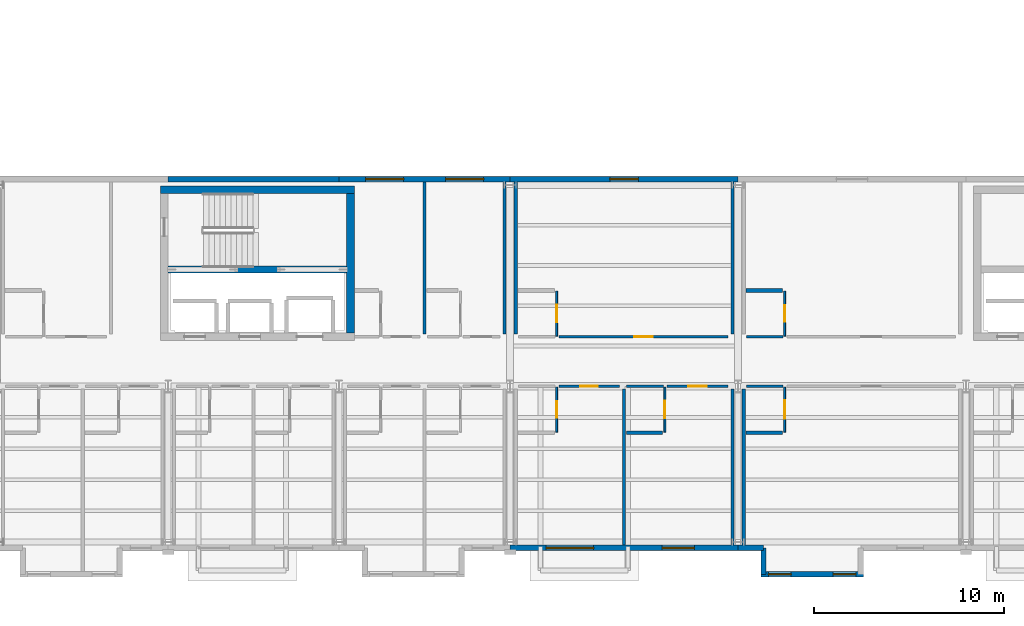
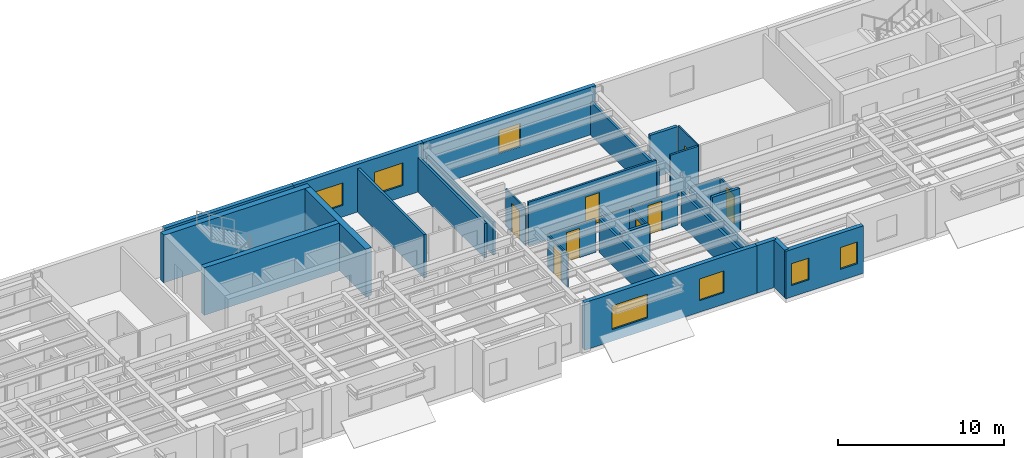
# One storey, part 13 of 23: 31 walls, 8 doors, 7 windows, 15 openings.
"""IFC4 building model written with IfcOpenShell, lengths in metres."""

from ifc_helpers import new_model, si_unit, direction, frame, frame_2d, origin, place, context, subcontext, project, spatial, rectangle, extrude, material, layer, layer_set, type_object, element, fill, save


model = new_model("IFC4")

# Units and contexts
model_context = context("Model", 3, precision=1e-05, world=origin(), true_north=direction((0.0, 1.0)))
body_context = subcontext(model_context, "Body", "Model", "MODEL_VIEW")
ifc_project = project(units=[si_unit("LENGTHUNIT", "METRE"), si_unit("AREAUNIT", "SQUARE_METRE"), si_unit("VOLUMEUNIT", "CUBIC_METRE"), si_unit("PLANEANGLEUNIT", "RADIAN"), si_unit("MASSUNIT", "GRAM", prefix="KILO")], contexts=[model_context])

# Site, building, storey
site_placement = place(None, origin())
site = spatial("IfcSite", under=ifc_project, at=site_placement, CompositionType="ELEMENT")
building_placement = place(site_placement, origin())
building = spatial("IfcBuilding", under=site, at=building_placement, Name="Sollismere Congress Hotel", CompositionType="ELEMENT")
storey_placement = place(building_placement, frame((0.0, 0.0, 30.60009765625)))
storey = spatial("IfcBuildingStorey", under=building, at=storey_placement, Name="L07", CompositionType="ELEMENT", Elevation=30.60009765625)

# Wall, openings, windows
ifc_material_1 = material(Name="Colorado Buff Sandstone Rainscreen on Insulated Backup", Category="masonry")
ifc_layer_1 = layer(ifc_material_1, 0.284912109375, Name="Colorado Buff Sandstone Rainscreen on Insulated Backup")
ifc_layer_set_1 = layer_set([ifc_layer_1], Name="Colorado Buff Sandstone Rainscreen on Insulated Backup")
wall_type_1 = type_object("IfcWallType", Name="WL-EXT285", PredefinedType="STANDARD", material=ifc_layer_set_1)
wall_1_placement = place(storey_placement, frame((112.0, -0.31005859375, 0.0), z_axis=(0.0, 0.0, 1.0), x_axis=(1.0, 0.0, 0.0)))
wall_1 = element("IfcWall", 1, at=wall_1_placement, inside=storey, type_object=wall_type_1, Name="Exterior wall EW-L07-753", PredefinedType="STANDARD", context=body_context, shape_type="SweptSolid", body=[
    extrude(rectangle(XDim=12.0, YDim=0.284912109375, at=frame_2d((6.0, 0.0))), origin(), (0.0, 0.0, 1.0), 3.5),
])
opening_1_placement = place(wall_1_placement, frame((1.89990234375, 0.0, 0.85009765625)))
opening_1 = element("IfcOpeningElement", 2, at=opening_1_placement, cuts=wall_1, Name="Opening W-L07-552", PredefinedType="OPENING", context=body_context, shape_type="SweptSolid", body=[
    extrude(rectangle(XDim=2.5, YDim=1.75, at=frame_2d((1.25, 0.875))), frame((0.0, 0.15234375, 0.0), z_axis=(0.0, -1.0, 0.0), x_axis=(1.0, 0.0, 0.0)), (0.0, 0.0, 1.0), 0.304931640625),
])
opening_2_placement = place(wall_1_placement, frame((8.0, 0.0, 0.85009765625)))
opening_2 = element("IfcOpeningElement", 3, at=opening_2_placement, cuts=wall_1, Name="Opening W-L07-553", PredefinedType="OPENING", context=body_context, shape_type="SweptSolid", body=[
    extrude(rectangle(XDim=1.699951171875, YDim=1.60009765625, at=frame_2d((0.85009765625, 0.800048828125))), frame((0.0, 0.15234375, 0.0), z_axis=(0.0, -1.0, 0.0), x_axis=(1.0, 0.0, 0.0)), (0.0, 0.0, 1.0), 0.304931640625),
])
ifc_material_2 = material(Name="Thermally Broken Bronze Aluminum & Low-E Glass", Category="aluminium")
window_type_1 = type_object("IfcWindowType", Name="WN-P170x160", PartitioningType="SINGLE_PANEL", PredefinedType="WINDOW", material=ifc_material_2)
window_1_placement = place(opening_2_placement, origin())
window_1 = element("IfcWindow", 4, at=window_1_placement, inside=storey, type_object=window_type_1, Name="WIN-W-L07-553", OverallHeight=1.60009765625, OverallWidth=1.699951171875, PartitioningType="SINGLE_PANEL", PredefinedType="WINDOW", context=body_context, shape_type="SweptSolid", body=[
    extrude(rectangle(XDim=1.699951171875, YDim=1.60009765625, at=frame_2d((0.85009765625, 0.800048828125))), frame((0.0, 0.030029296875, 0.0), z_axis=(0.0, -1.0, 0.0), x_axis=(1.0, 0.0, 0.0)), (0.0, 0.0, 1.0), 0.06005859375),
])
fill(opening_2, window_1)
window_type_2 = type_object("IfcWindowType", Name="WN-P250x175", PartitioningType="SINGLE_PANEL", PredefinedType="WINDOW", material=ifc_material_2)
window_2_placement = place(opening_1_placement, origin())
window_2 = element("IfcWindow", 5, at=window_2_placement, inside=storey, type_object=window_type_2, Name="WIN-W-L07-552", OverallHeight=1.75, OverallWidth=2.5, PartitioningType="SINGLE_PANEL", PredefinedType="WINDOW", context=body_context, shape_type="SweptSolid", body=[
    extrude(rectangle(XDim=2.5, YDim=1.75, at=frame_2d((1.25, 0.875))), frame((0.0, 0.030029296875, 0.0), z_axis=(0.0, -1.0, 0.0), x_axis=(1.0, 0.0, 0.0)), (0.0, 0.0, 1.0), 0.06005859375),
])
fill(opening_1, window_2)

# Wall
wall_2_placement = place(storey_placement, frame((124.0, -0.31005859375, 0.0), z_axis=(0.0, 0.0, 1.0), x_axis=(1.0, 0.0, 0.0)))
element("IfcWall", 6, at=wall_2_placement, inside=storey, type_object=wall_type_1, Name="Exterior wall EW-L07-755", PredefinedType="STANDARD", context=body_context, shape_type="SweptSolid", body=[
    extrude(rectangle(XDim=1.340087890625, YDim=0.284912109375, at=frame_2d((0.669921875, 0.0))), origin(), (0.0, 0.0, 1.0), 3.5),
])

# Wall, openings, windows
wall_3_placement = place(storey_placement, frame((125.199951171875, -1.699951171875, 0.0), z_axis=(0.0, 0.0, 1.0), x_axis=(1.0, 0.0, 0.0)))
wall_3 = element("IfcWall", 7, at=wall_3_placement, inside=storey, type_object=wall_type_1, Name="Exterior wall EW-L07-757", PredefinedType="STANDARD", context=body_context, shape_type="SweptSolid", body=[
    extrude(rectangle(XDim=5.400146484375, YDim=0.284912109375, at=frame_2d((2.7001953125, 0.0))), origin(), (0.0, 0.0, 1.0), 3.5),
])
opening_3_placement = place(wall_3_placement, frame((0.39990234375, 0.0, 0.85009765625)))
opening_3 = element("IfcOpeningElement", 8, at=opening_3_placement, cuts=wall_3, Name="Opening W-L07-555", PredefinedType="OPENING", context=body_context, shape_type="SweptSolid", body=[
    extrude(rectangle(XDim=1.199951171875, YDim=1.60009765625, at=frame_2d((0.60009765625, 0.800048828125))), frame((0.0, 0.15234375, 0.0), z_axis=(0.0, -1.0, 0.0), x_axis=(1.0, 0.0, 0.0)), (0.0, 0.0, 1.0), 0.304931640625),
])
opening_4_placement = place(wall_3_placement, frame((3.800048828125, 0.0, 0.85009765625)))
opening_4 = element("IfcOpeningElement", 9, at=opening_4_placement, cuts=wall_3, Name="Opening W-L07-556", PredefinedType="OPENING", context=body_context, shape_type="SweptSolid", body=[
    extrude(rectangle(XDim=1.199951171875, YDim=1.60009765625, at=frame_2d((0.60009765625, 0.800048828125))), frame((0.0, 0.15234375, 0.0), z_axis=(0.0, -1.0, 0.0), x_axis=(1.0, 0.0, 0.0)), (0.0, 0.0, 1.0), 0.304931640625),
])
window_type_3 = type_object("IfcWindowType", Name="WN-P120x160", PartitioningType="SINGLE_PANEL", PredefinedType="WINDOW", material=ifc_material_2)
window_3_placement = place(opening_3_placement, origin())
window_3 = element("IfcWindow", 10, at=window_3_placement, inside=storey, type_object=window_type_3, Name="WIN-W-L07-555", OverallHeight=1.60009765625, OverallWidth=1.199951171875, PartitioningType="SINGLE_PANEL", PredefinedType="WINDOW", context=body_context, shape_type="SweptSolid", body=[
    extrude(rectangle(XDim=1.199951171875, YDim=1.60009765625, at=frame_2d((0.60009765625, 0.800048828125))), frame((0.0, 0.030029296875, 0.0), z_axis=(0.0, -1.0, 0.0), x_axis=(1.0, 0.0, 0.0)), (0.0, 0.0, 1.0), 0.06005859375),
])
fill(opening_3, window_3)
window_4_placement = place(opening_4_placement, origin())
window_4 = element("IfcWindow", 11, at=window_4_placement, inside=storey, type_object=window_type_3, Name="WIN-W-L07-556", OverallHeight=1.60009765625, OverallWidth=1.199951171875, PartitioningType="SINGLE_PANEL", PredefinedType="WINDOW", context=body_context, shape_type="SweptSolid", body=[
    extrude(rectangle(XDim=1.199951171875, YDim=1.60009765625, at=frame_2d((0.60009765625, 0.800048828125))), frame((0.0, 0.030029296875, 0.0), z_axis=(0.0, -1.0, 0.0), x_axis=(1.0, 0.0, 0.0)), (0.0, 0.0, 1.0), 0.06005859375),
])
fill(opening_4, window_4)

# Walls
wall_4_placement = place(storey_placement, frame((125.340087890625, -0.31005859375, 0.0), z_axis=(0.0, 0.0, 1.0), x_axis=(0.0, -1.0, 0.0)))
element("IfcWall", 12, at=wall_4_placement, inside=storey, type_object=wall_type_1, Name="Exterior wall EW-L07-758", PredefinedType="STANDARD", context=body_context, shape_type="SweptSolid", body=[
    extrude(rectangle(XDim=1.389892578125, YDim=0.284912109375, at=frame_2d((0.69482421875, 0.0))), origin(), (0.0, 0.0, 1.0), 3.5),
])
wall_5_placement = place(storey_placement, frame((103.0, 19.110107421875, 0.0), z_axis=(0.0, 0.0, 1.0), x_axis=(-1.0, 0.0, 0.0)))
element("IfcWall", 13, at=wall_5_placement, inside=storey, type_object=wall_type_1, Name="Exterior wall EW-L07-797", PredefinedType="STANDARD", context=body_context, shape_type="SweptSolid", body=[
    extrude(rectangle(XDim=9.0, YDim=0.284912109375, at=frame_2d((4.5, 0.0))), origin(), (0.0, 0.0, 1.0), 3.5),
])

# Wall, openings, windows
wall_6_placement = place(storey_placement, frame((112.0, 19.110107421875, 0.0), z_axis=(0.0, 0.0, 1.0), x_axis=(-1.0, 0.0, 0.0)))
wall_6 = element("IfcWall", 14, at=wall_6_placement, inside=storey, type_object=wall_type_1, Name="Exterior wall EW-L07-798", PredefinedType="STANDARD", context=body_context, shape_type="SweptSolid", body=[
    extrude(rectangle(XDim=9.0, YDim=0.284912109375, at=frame_2d((4.5, 0.0))), origin(), (0.0, 0.0, 1.0), 3.5),
])
opening_5_placement = place(wall_6_placement, frame((5.60009765625, 0.0, 0.85009765625)))
opening_5 = element("IfcOpeningElement", 15, at=opening_5_placement, cuts=wall_6, Name="Opening W-L07-577", PredefinedType="OPENING", context=body_context, shape_type="SweptSolid", body=[
    extrude(rectangle(XDim=2.0, YDim=1.64990234375, at=frame_2d((1.0, 0.824951171875))), frame((0.0, 0.15234375, 0.0), z_axis=(0.0, -1.0, 0.0), x_axis=(1.0, 0.0, 0.0)), (0.0, 0.0, 1.0), 0.304931640625),
])
opening_6_placement = place(wall_6_placement, frame((1.39990234375, 0.0, 0.85009765625)))
opening_6 = element("IfcOpeningElement", 16, at=opening_6_placement, cuts=wall_6, Name="Opening W-L07-578", PredefinedType="OPENING", context=body_context, shape_type="SweptSolid", body=[
    extrude(rectangle(XDim=2.0, YDim=1.64990234375, at=frame_2d((1.0, 0.824951171875))), frame((0.0, 0.15234375, 0.0), z_axis=(0.0, -1.0, 0.0), x_axis=(1.0, 0.0, 0.0)), (0.0, 0.0, 1.0), 0.304931640625),
])
window_type_4 = type_object("IfcWindowType", Name="WN-P200x165", PartitioningType="SINGLE_PANEL", PredefinedType="WINDOW", material=ifc_material_2)
window_5_placement = place(opening_5_placement, origin())
window_5 = element("IfcWindow", 17, at=window_5_placement, inside=storey, type_object=window_type_4, Name="WIN-W-L07-577", OverallHeight=1.64990234375, OverallWidth=2.0, PartitioningType="SINGLE_PANEL", PredefinedType="WINDOW", context=body_context, shape_type="SweptSolid", body=[
    extrude(rectangle(XDim=2.0, YDim=1.64990234375, at=frame_2d((1.0, 0.824951171875))), frame((0.0, 0.030029296875, 0.0), z_axis=(0.0, -1.0, 0.0), x_axis=(1.0, 0.0, 0.0)), (0.0, 0.0, 1.0), 0.06005859375),
])
fill(opening_5, window_5)
window_6_placement = place(opening_6_placement, origin())
window_6 = element("IfcWindow", 18, at=window_6_placement, inside=storey, type_object=window_type_4, Name="WIN-W-L07-578", OverallHeight=1.64990234375, OverallWidth=2.0, PartitioningType="SINGLE_PANEL", PredefinedType="WINDOW", context=body_context, shape_type="SweptSolid", body=[
    extrude(rectangle(XDim=2.0, YDim=1.64990234375, at=frame_2d((1.0, 0.824951171875))), frame((0.0, 0.030029296875, 0.0), z_axis=(0.0, -1.0, 0.0), x_axis=(1.0, 0.0, 0.0)), (0.0, 0.0, 1.0), 0.06005859375),
])
fill(opening_6, window_6)

# Wall, opening, window
wall_7_placement = place(storey_placement, frame((124.0, 19.110107421875, 0.0), z_axis=(0.0, 0.0, 1.0), x_axis=(-1.0, 0.0, 0.0)))
wall_7 = element("IfcWall", 19, at=wall_7_placement, inside=storey, type_object=wall_type_1, Name="Exterior wall EW-L07-799", PredefinedType="STANDARD", context=body_context, shape_type="SweptSolid", body=[
    extrude(rectangle(XDim=12.0, YDim=0.284912109375, at=frame_2d((6.0, 0.0))), origin(), (0.0, 0.0, 1.0), 3.5),
])
opening_7_placement = place(wall_7_placement, frame((5.25, 0.0, 0.85009765625)))
opening_7 = element("IfcOpeningElement", 20, at=opening_7_placement, cuts=wall_7, Name="Opening W-L07-579", PredefinedType="OPENING", context=body_context, shape_type="SweptSolid", body=[
    extrude(rectangle(XDim=1.5, YDim=1.699951171875, at=frame_2d((0.75, 0.85009765625))), frame((0.0, 0.15234375, 0.0), z_axis=(0.0, -1.0, 0.0), x_axis=(1.0, 0.0, 0.0)), (0.0, 0.0, 1.0), 0.304931640625),
])
window_type_5 = type_object("IfcWindowType", Name="WN-P150x170", PartitioningType="SINGLE_PANEL", PredefinedType="WINDOW", material=ifc_material_2)
window_7_placement = place(opening_7_placement, origin())
window_7 = element("IfcWindow", 21, at=window_7_placement, inside=storey, type_object=window_type_5, Name="WIN-W-L07-579", OverallHeight=1.699951171875, OverallWidth=1.5, PartitioningType="SINGLE_PANEL", PredefinedType="WINDOW", context=body_context, shape_type="SweptSolid", body=[
    extrude(rectangle(XDim=1.5, YDim=1.699951171875, at=frame_2d((0.75, 0.85009765625))), frame((0.0, 0.030029296875, 0.0), z_axis=(0.0, -1.0, 0.0), x_axis=(1.0, 0.0, 0.0)), (0.0, 0.0, 1.0), 0.06005859375),
])
fill(opening_7, window_7)

# Walls
ifc_material_3 = material(Name="Moisture-Resistant Shaft Gypsum Assembly")
ifc_layer_2 = layer(ifc_material_3, 0.199951171875, Name="Moisture-Resistant Shaft Gypsum Assembly")
ifc_layer_set_2 = layer_set([ifc_layer_2], Name="Moisture-Resistant Shaft Gypsum Assembly")
wall_type_2 = type_object("IfcWallType", Name="WL-PLM200", PredefinedType="PLUMBINGWALL", material=ifc_layer_set_2)
wall_8_placement = place(storey_placement, frame((118.1201171875, 5.75, 0.0), z_axis=(0.0, 0.0, 1.0), x_axis=(1.0, 0.0, 0.0)))
element("IfcWall", 22, at=wall_8_placement, inside=storey, type_object=wall_type_2, Name="Interior wall IW-L07-2302", PredefinedType="PLUMBINGWALL", context=body_context, shape_type="SweptSolid", body=[
    extrude(rectangle(XDim=1.909912109375, YDim=0.199951171875, at=frame_2d((0.955078125, 0.0))), origin(), (0.0, 0.0, 1.0), 2.7529296875),
])
for number, where, z_axis, x_axis, name in (
    (23, (124.419921875, 5.75, 0.0), (0.0, 0.0, 1.0), (1.0, 0.0, 0.0), "Interior wall IW-L07-2314"),
    (24, (124.419921875, 13.25, 0.0), (0.0, 0.0, 1.0), (1.0, 0.0, 0.0), "Interior wall IW-L07-2320"),
):
    element("IfcWall", number, at=place(storey_placement, frame(where, z_axis=z_axis, x_axis=x_axis)), inside=storey, type_object=wall_type_2, Name=name, PredefinedType="PLUMBINGWALL", context=body_context, shape_type="SweptSolid", body=[
        extrude(rectangle(XDim=1.91015625, YDim=0.199951171875, at=frame_2d((0.955078125, 0.0))), origin(), (0.0, 0.0, 1.0), 3.199951171875),
    ])

# Wall, opening, door
ifc_material_4 = material(Name="Moisture-Resistant Gypsum Partition")
ifc_layer_3 = layer(ifc_material_4, 0.10009765625, Name="Moisture-Resistant Gypsum Partition")
ifc_layer_set_3 = layer_set([ifc_layer_3], Name="Moisture-Resistant Gypsum Partition")
wall_type_3 = type_object("IfcWallType", Name="WL-PRT100", PredefinedType="PARTITIONING", material=ifc_layer_set_3)
wall_9_placement = place(storey_placement, frame((114.449951171875, 5.7900390625, 0.0), z_axis=(0.0, 0.0, 1.0), x_axis=(0.0, 1.0, 0.0)))
wall_9 = element("IfcWall", 25, at=wall_9_placement, inside=storey, type_object=wall_type_3, Name="Interior wall IW-L07-2296", PredefinedType="PARTITIONING", context=body_context, shape_type="SweptSolid", body=[
    extrude(rectangle(XDim=2.369873046875, YDim=0.10009765625, at=frame_2d((1.18505859375, 0.0))), origin(), (0.0, 0.0, 1.0), 2.43798828125),
])
opening_8_placement = place(wall_9_placement, frame((0.7451171875, 0.0, 0.0)))
opening_8 = element("IfcOpeningElement", 26, at=opening_8_placement, cuts=wall_9, Name="Opening D-L07-0811", PredefinedType="OPENING", context=body_context, shape_type="SweptSolid", body=[
    extrude(rectangle(XDim=0.8798828125, YDim=2.10009765625, at=frame_2d((0.43994140625, 1.050048828125))), frame((0.0, 0.06005859375, 0.0), z_axis=(0.0, -1.0, 0.0), x_axis=(1.0, 0.0, 0.0)), (0.0, 0.0, 1.0), 0.1201171875),
])
ifc_material_5 = material(Name="Moisture-Sealed Timber Bathroom Door", Category="wood")
door_type_1 = type_object("IfcDoorType", Name="DR-BT01", OperationType="NOTDEFINED", PredefinedType="DOOR", material=ifc_material_5)
door_1_placement = place(opening_8_placement, origin())
door_1 = element("IfcDoor", 27, at=door_1_placement, inside=storey, type_object=door_type_1, Name="En-suite bathroom door D-L07-0811", OperationType="SINGLE_SWING_RIGHT", OverallHeight=2.10009765625, OverallWidth=0.8798828125, PredefinedType="DOOR", context=body_context, shape_type="SweptSolid", body=[
    extrude(rectangle(XDim=0.8798828125, YDim=2.10009765625, at=frame_2d((0.43994140625, 1.050048828125))), frame((0.0, 0.02490234375, 0.0), z_axis=(0.0, -1.0, 0.0), x_axis=(1.0, 0.0, 0.0)), (0.0, 0.0, 1.0), 0.050048828125),
])
fill(opening_8, door_1)

wall_10_placement = place(storey_placement, frame((120.14990234375, 5.7900390625, 0.0), z_axis=(0.0, 0.0, 1.0), x_axis=(0.0, 1.0, 0.0)))
wall_10 = element("IfcWall", 28, at=wall_10_placement, inside=storey, type_object=wall_type_3, Name="Interior wall IW-L07-2301", PredefinedType="PARTITIONING", context=body_context, shape_type="SweptSolid", body=[
    extrude(rectangle(XDim=2.369873046875, YDim=0.10009765625, at=frame_2d((1.18505859375, 0.0))), origin(), (0.0, 0.0, 1.0), 2.43798828125),
])
opening_9_placement = place(wall_10_placement, frame((0.73291015625, 0.0, 0.0)))
opening_9 = element("IfcOpeningElement", 29, at=opening_9_placement, cuts=wall_10, Name="Opening D-L07-0813", PredefinedType="OPENING", context=body_context, shape_type="SweptSolid", body=[
    extrude(rectangle(XDim=0.905029296875, YDim=2.10009765625, at=frame_2d((0.45263671875, 1.050048828125))), frame((0.0, 0.06005859375, 0.0), z_axis=(0.0, -1.0, 0.0), x_axis=(1.0, 0.0, 0.0)), (0.0, 0.0, 1.0), 0.1201171875),
])
door_type_2 = type_object("IfcDoorType", Name="DR-BT02", OperationType="NOTDEFINED", PredefinedType="DOOR", material=ifc_material_5)
door_2_placement = place(opening_9_placement, origin())
door_2 = element("IfcDoor", 30, at=door_2_placement, inside=storey, type_object=door_type_2, Name="En-suite bathroom door D-L07-0813", OperationType="SINGLE_SWING_RIGHT", OverallHeight=2.10009765625, OverallWidth=0.905029296875, PredefinedType="DOOR", context=body_context, shape_type="SweptSolid", body=[
    extrude(rectangle(XDim=0.905029296875, YDim=2.10009765625, at=frame_2d((0.45263671875, 1.050048828125))), frame((0.0, 0.02490234375, 0.0), z_axis=(0.0, -1.0, 0.0), x_axis=(1.0, 0.0, 0.0)), (0.0, 0.0, 1.0), 0.050048828125),
])
fill(opening_9, door_2)

wall_11_placement = place(storey_placement, frame((114.449951171875, 10.840087890625, 0.0), z_axis=(0.0, 0.0, 1.0), x_axis=(0.0, 1.0, 0.0)))
wall_11 = element("IfcWall", 31, at=wall_11_placement, inside=storey, type_object=wall_type_3, Name="Interior wall IW-L07-2307", PredefinedType="PARTITIONING", context=body_context, shape_type="SweptSolid", body=[
    extrude(rectangle(XDim=2.369873046875, YDim=0.10009765625, at=frame_2d((1.18505859375, 0.0))), origin(), (0.0, 0.0, 1.0), 2.7578125),
])
opening_10_placement = place(wall_11_placement, frame((0.719970703125, 0.0, 0.0)))
opening_10 = element("IfcOpeningElement", 32, at=opening_10_placement, cuts=wall_11, Name="Opening D-L07-0815", PredefinedType="OPENING", context=body_context, shape_type="SweptSolid", body=[
    extrude(rectangle(XDim=0.929931640625, YDim=2.139892578125, at=frame_2d((0.46484375, 1.06982421875))), frame((0.0, 0.06005859375, 0.0), z_axis=(0.0, -1.0, 0.0), x_axis=(1.0, 0.0, 0.0)), (0.0, 0.0, 1.0), 0.1201171875),
])
door_type_3 = type_object("IfcDoorType", Name="DR-BT03", OperationType="NOTDEFINED", PredefinedType="DOOR", material=ifc_material_5)
door_3_placement = place(opening_10_placement, origin())
door_3 = element("IfcDoor", 33, at=door_3_placement, inside=storey, type_object=door_type_3, Name="En-suite bathroom door D-L07-0815", OperationType="SINGLE_SWING_RIGHT", OverallHeight=2.139892578125, OverallWidth=0.929931640625, PredefinedType="DOOR", context=body_context, shape_type="SweptSolid", body=[
    extrude(rectangle(XDim=0.929931640625, YDim=2.139892578125, at=frame_2d((0.46484375, 1.06982421875))), frame((0.0, 0.02490234375, 0.0), z_axis=(0.0, -1.0, 0.0), x_axis=(1.0, 0.0, 0.0)), (0.0, 0.0, 1.0), 0.050048828125),
])
fill(opening_10, door_3)

wall_12_placement = place(storey_placement, frame((126.449951171875, 5.7900390625, 0.0), z_axis=(0.0, 0.0, 1.0), x_axis=(0.0, 1.0, 0.0)))
wall_12 = element("IfcWall", 34, at=wall_12_placement, inside=storey, type_object=wall_type_3, Name="Interior wall IW-L07-2313", PredefinedType="PARTITIONING", context=body_context, shape_type="SweptSolid", body=[
    extrude(rectangle(XDim=2.369873046875, YDim=0.10009765625, at=frame_2d((1.18505859375, 0.0))), origin(), (0.0, 0.0, 1.0), 2.43798828125),
])
opening_11_placement = place(wall_12_placement, frame((0.7080078125, 0.0, 0.0)))
opening_11 = element("IfcOpeningElement", 35, at=opening_11_placement, cuts=wall_12, Name="Opening D-L07-0817", PredefinedType="OPENING", context=body_context, shape_type="SweptSolid", body=[
    extrude(rectangle(XDim=0.955078125, YDim=2.139892578125, at=frame_2d((0.4775390625, 1.06982421875))), frame((0.0, 0.06005859375, 0.0), z_axis=(0.0, -1.0, 0.0), x_axis=(1.0, 0.0, 0.0)), (0.0, 0.0, 1.0), 0.1201171875),
])
door_type_4 = type_object("IfcDoorType", Name="DR-BT04", OperationType="NOTDEFINED", PredefinedType="DOOR", material=ifc_material_5)
door_4_placement = place(opening_11_placement, origin())
door_4 = element("IfcDoor", 36, at=door_4_placement, inside=storey, type_object=door_type_4, Name="En-suite bathroom door D-L07-0817", OperationType="SINGLE_SWING_RIGHT", OverallHeight=2.139892578125, OverallWidth=0.955078125, PredefinedType="DOOR", context=body_context, shape_type="SweptSolid", body=[
    extrude(rectangle(XDim=0.955078125, YDim=2.139892578125, at=frame_2d((0.4775390625, 1.06982421875))), frame((0.0, 0.02490234375, 0.0), z_axis=(0.0, -1.0, 0.0), x_axis=(1.0, 0.0, 0.0)), (0.0, 0.0, 1.0), 0.050048828125),
])
fill(opening_11, door_4)

wall_13_placement = place(storey_placement, frame((126.449951171875, 10.840087890625, 0.0), z_axis=(0.0, 0.0, 1.0), x_axis=(0.0, 1.0, 0.0)))
wall_13 = element("IfcWall", 37, at=wall_13_placement, inside=storey, type_object=wall_type_3, Name="Interior wall IW-L07-2319", PredefinedType="PARTITIONING", context=body_context, shape_type="SweptSolid", body=[
    extrude(rectangle(XDim=2.369873046875, YDim=0.10009765625, at=frame_2d((1.18505859375, 0.0))), origin(), (0.0, 0.0, 1.0), 3.199951171875),
])
opening_12_placement = place(wall_13_placement, frame((0.7451171875, 0.0, 0.0)))
opening_12 = element("IfcOpeningElement", 38, at=opening_12_placement, cuts=wall_13, Name="Opening D-L07-0819", PredefinedType="OPENING", context=body_context, shape_type="SweptSolid", body=[
    extrude(rectangle(XDim=0.8798828125, YDim=2.179931640625, at=frame_2d((0.43994140625, 1.08984375))), frame((0.0, 0.06005859375, 0.0), z_axis=(0.0, -1.0, 0.0), x_axis=(1.0, 0.0, 0.0)), (0.0, 0.0, 1.0), 0.1201171875),
])
door_type_5 = type_object("IfcDoorType", Name="DR-BT05", OperationType="NOTDEFINED", PredefinedType="DOOR", material=ifc_material_5)
door_5_placement = place(opening_12_placement, origin())
door_5 = element("IfcDoor", 39, at=door_5_placement, inside=storey, type_object=door_type_5, Name="En-suite bathroom door D-L07-0819", OperationType="SINGLE_SWING_RIGHT", OverallHeight=2.179931640625, OverallWidth=0.8798828125, PredefinedType="DOOR", context=body_context, shape_type="SweptSolid", body=[
    extrude(rectangle(XDim=0.8798828125, YDim=2.179931640625, at=frame_2d((0.43994140625, 1.08984375))), frame((0.0, 0.02490234375, 0.0), z_axis=(0.0, -1.0, 0.0), x_axis=(1.0, 0.0, 0.0)), (0.0, 0.0, 1.0), 0.050048828125),
])
fill(opening_12, door_5)

ifc_material_6 = material(Name="Fire-Rated Gypsum Partition")
ifc_layer_4 = layer(ifc_material_6, 0.139892578125, Name="Fire-Rated Gypsum Partition")
ifc_layer_set_4 = layer_set([ifc_layer_4], Name="Fire-Rated Gypsum Partition")
wall_type_4 = type_object("IfcWallType", Name="WL-PRT140R", PredefinedType="PARTITIONING", material=ifc_layer_set_4)
wall_14_placement = place(storey_placement, frame((114.570068359375, 8.199951171875, 0.0), z_axis=(0.0, 0.0, 1.0), x_axis=(1.0, 0.0, 0.0)))
wall_14 = element("IfcWall", 40, at=wall_14_placement, inside=storey, type_object=wall_type_4, Name="Interior wall IW-L07-2293", PredefinedType="PARTITIONING", context=body_context, shape_type="SweptSolid", body=[
    extrude(rectangle(XDim=3.18994140625, YDim=0.139892578125, at=frame_2d((1.594970703125, 0.0))), origin(), (0.0, 0.0, 1.0), 2.43798828125),
])
opening_13_placement = place(wall_14_placement, frame((1.135009765625, 0.0, 0.0)))
opening_13 = element("IfcOpeningElement", 41, at=opening_13_placement, cuts=wall_14, Name="Opening D-L07-0810", PredefinedType="OPENING", context=body_context, shape_type="SweptSolid", body=[
    extrude(rectangle(XDim=0.919921875, YDim=2.14990234375, at=frame_2d((0.4599609375, 1.074951171875))), frame((0.0, 0.079833984375, 0.0), z_axis=(0.0, -1.0, 0.0), x_axis=(1.0, 0.0, 0.0)), (0.0, 0.0, 1.0), 0.159912109375),
])
ifc_material_7 = material(Name="Solid-Core Acoustic Walnut Guestroom Entry Door")
door_type_6 = type_object("IfcDoorType", Name="DR-KY01", OperationType="NOTDEFINED", PredefinedType="DOOR", material=ifc_material_7)
door_6_placement = place(opening_13_placement, origin())
door_6 = element("IfcDoor", 42, at=door_6_placement, inside=storey, type_object=door_type_6, Name="Hotel room entry door D-L07-0810", OperationType="SINGLE_SWING_LEFT", OverallHeight=2.14990234375, OverallWidth=0.919921875, PredefinedType="DOOR", context=body_context, shape_type="SweptSolid", body=[
    extrude(rectangle(XDim=0.919921875, YDim=2.14990234375, at=frame_2d((0.4599609375, 1.074951171875))), frame((0.0, 0.02490234375, 0.0), z_axis=(0.0, -1.0, 0.0), x_axis=(1.0, 0.0, 0.0)), (0.0, 0.0, 1.0), 0.050048828125),
])
fill(opening_13, door_6)

# Wall
wall_15_placement = place(storey_placement, frame((118.139892578125, 8.199951171875, 0.0), z_axis=(0.0, 0.0, 1.0), x_axis=(1.0, 0.0, 0.0)))
element("IfcWall", 43, at=wall_15_placement, inside=storey, type_object=wall_type_4, Name="Interior wall IW-L07-2298", PredefinedType="PARTITIONING", context=body_context, shape_type="SweptSolid", body=[
    extrude(rectangle(XDim=1.93017578125, YDim=0.139892578125, at=frame_2d((0.965087890625, 0.0))), origin(), (0.0, 0.0, 1.0), 2.43798828125),
])

# Wall, opening, door
wall_16_placement = place(storey_placement, frame((120.27001953125, 8.199951171875, 0.0), z_axis=(0.0, 0.0, 1.0), x_axis=(1.0, 0.0, 0.0)))
wall_16 = element("IfcWall", 44, at=wall_16_placement, inside=storey, type_object=wall_type_4, Name="Interior wall IW-L07-2299", PredefinedType="PARTITIONING", context=body_context, shape_type="SweptSolid", body=[
    extrude(rectangle(XDim=3.18994140625, YDim=0.139892578125, at=frame_2d((1.594970703125, 0.0))), origin(), (0.0, 0.0, 1.0), 2.43798828125),
])
opening_14_placement = place(wall_16_placement, frame((1.1201171875, 0.0, 0.0)))
opening_14 = element("IfcOpeningElement", 45, at=opening_14_placement, cuts=wall_16, Name="Opening D-L07-0812", PredefinedType="OPENING", context=body_context, shape_type="SweptSolid", body=[
    extrude(rectangle(XDim=0.949951171875, YDim=2.14990234375, at=frame_2d((0.47509765625, 1.074951171875))), frame((0.0, 0.079833984375, 0.0), z_axis=(0.0, -1.0, 0.0), x_axis=(1.0, 0.0, 0.0)), (0.0, 0.0, 1.0), 0.159912109375),
])
door_type_7 = type_object("IfcDoorType", Name="DR-KY02", OperationType="NOTDEFINED", PredefinedType="DOOR", material=ifc_material_7)
door_7_placement = place(opening_14_placement, origin())
door_7 = element("IfcDoor", 46, at=door_7_placement, inside=storey, type_object=door_type_7, Name="Hotel room entry door D-L07-0812", OperationType="SINGLE_SWING_LEFT", OverallHeight=2.14990234375, OverallWidth=0.949951171875, PredefinedType="DOOR", context=body_context, shape_type="SweptSolid", body=[
    extrude(rectangle(XDim=0.949951171875, YDim=2.14990234375, at=frame_2d((0.47509765625, 1.074951171875))), frame((0.0, 0.02490234375, 0.0), z_axis=(0.0, -1.0, 0.0), x_axis=(1.0, 0.0, 0.0)), (0.0, 0.0, 1.0), 0.050048828125),
])
fill(opening_14, door_7)

wall_17_placement = place(storey_placement, frame((114.570068359375, 10.800048828125, 0.0), z_axis=(0.0, 0.0, 1.0), x_axis=(1.0, 0.0, 0.0)))
wall_17 = element("IfcWall", 47, at=wall_17_placement, inside=storey, type_object=wall_type_4, Name="Interior wall IW-L07-2304", PredefinedType="PARTITIONING", context=body_context, shape_type="SweptSolid", body=[
    extrude(rectangle(XDim=8.889892578125, YDim=0.139892578125, at=frame_2d((4.44482421875, 0.0))), origin(), (0.0, 0.0, 1.0), 3.199951171875),
])
opening_15_placement = place(wall_17_placement, frame((3.955078125, 0.0, 0.0)))
opening_15 = element("IfcOpeningElement", 48, at=opening_15_placement, cuts=wall_17, Name="Opening D-L07-0814", PredefinedType="OPENING", context=body_context, shape_type="SweptSolid", body=[
    extrude(rectangle(XDim=0.97998046875, YDim=2.199951171875, at=frame_2d((0.489990234375, 1.10009765625))), frame((0.0, 0.079833984375, 0.0), z_axis=(0.0, -1.0, 0.0), x_axis=(1.0, 0.0, 0.0)), (0.0, 0.0, 1.0), 0.159912109375),
])
door_type_8 = type_object("IfcDoorType", Name="DR-KY03", OperationType="NOTDEFINED", PredefinedType="DOOR", material=ifc_material_7)
door_8_placement = place(opening_15_placement, origin())
door_8 = element("IfcDoor", 49, at=door_8_placement, inside=storey, type_object=door_type_8, Name="Hotel room entry door D-L07-0814", OperationType="SINGLE_SWING_LEFT", OverallHeight=2.199951171875, OverallWidth=0.97998046875, PredefinedType="DOOR", context=body_context, shape_type="SweptSolid", body=[
    extrude(rectangle(XDim=0.97998046875, YDim=2.199951171875, at=frame_2d((0.489990234375, 1.10009765625))), frame((0.0, 0.02490234375, 0.0), z_axis=(0.0, -1.0, 0.0), x_axis=(1.0, 0.0, 0.0)), (0.0, 0.0, 1.0), 0.050048828125),
])
fill(opening_15, door_8)

# Walls
wall_18_placement = place(storey_placement, frame((124.43994140625, 8.199951171875, 0.0), z_axis=(0.0, 0.0, 1.0), x_axis=(1.0, 0.0, 0.0)))
element("IfcWall", 50, at=wall_18_placement, inside=storey, type_object=wall_type_4, Name="Interior wall IW-L07-2309", PredefinedType="PARTITIONING", context=body_context, shape_type="SweptSolid", body=[
    extrude(rectangle(XDim=1.93017578125, YDim=0.139892578125, at=frame_2d((0.965087890625, 0.0))), origin(), (0.0, 0.0, 1.0), 2.43798828125),
])
wall_19_placement = place(storey_placement, frame((124.43994140625, 10.800048828125, 0.0), z_axis=(0.0, 0.0, 1.0), x_axis=(1.0, 0.0, 0.0)))
element("IfcWall", 51, at=wall_19_placement, inside=storey, type_object=wall_type_4, Name="Interior wall IW-L07-2315", PredefinedType="PARTITIONING", context=body_context, shape_type="SweptSolid", body=[
    extrude(rectangle(XDim=1.93017578125, YDim=0.139892578125, at=frame_2d((0.965087890625, 0.0))), origin(), (0.0, 0.0, 1.0), 3.199951171875),
])
ifc_material_8 = material(Name="Fire-Rated Acoustic Gypsum Partition")
ifc_layer_5 = layer(ifc_material_8, 0.1650390625, Name="Fire-Rated Acoustic Gypsum Partition")
ifc_layer_set_5 = layer_set([ifc_layer_5], Name="Fire-Rated Acoustic Gypsum Partition")
wall_type_5 = type_object("IfcWallType", Name="WL-PRT165R", PredefinedType="PARTITIONING", material=ifc_layer_set_5)
wall_20_placement = place(storey_placement, frame((107.5, 10.93994140625, 0.0), z_axis=(0.0, 0.0, 1.0), x_axis=(0.0, 1.0, 0.0)))
element("IfcWall", 52, at=wall_20_placement, inside=storey, type_object=wall_type_5, Name="Interior wall IW-L07-2284", PredefinedType="PARTITIONING", context=body_context, shape_type="SweptSolid", body=[
    extrude(rectangle(XDim=8.012451171875, YDim=0.1650390625, at=frame_2d((4.00634765625, 0.0))), origin(), (0.0, 0.0, 1.0), 3.199951171875),
])
wall_21_placement = place(storey_placement, frame((111.699951171875, 10.93994140625, 0.0), z_axis=(0.0, 0.0, 1.0), x_axis=(0.0, 1.0, 0.0)))
element("IfcWall", 53, at=wall_21_placement, inside=storey, type_object=wall_type_5, Name="Interior wall IW-L07-2289", PredefinedType="PARTITIONING", context=body_context, shape_type="SweptSolid", body=[
    extrude(rectangle(XDim=8.012451171875, YDim=0.1650390625, at=frame_2d((4.00634765625, 0.0))), origin(), (0.0, 0.0, 1.0), 2.52880859375),
])
for number, where, z_axis, x_axis, name in (
    (54, (118.0, -0.152587890625, 0.0), (0.0, 0.0, 1.0), (0.0, 1.0, 0.0), "Interior wall IW-L07-2295"),
    (55, (123.699951171875, -0.152587890625, 0.0), (0.0, 0.0, 1.0), (0.0, 1.0, 0.0), "Interior wall IW-L07-2300"),
):
    element("IfcWall", number, at=place(storey_placement, frame(where, z_axis=z_axis, x_axis=x_axis)), inside=storey, type_object=wall_type_5, Name=name, PredefinedType="PARTITIONING", context=body_context, shape_type="SweptSolid", body=[
        extrude(rectangle(XDim=8.212646484375, YDim=0.1650390625, at=frame_2d((4.1064453125, 0.0))), origin(), (0.0, 0.0, 1.0), 2.43798828125),
    ])
for number, where, z_axis, x_axis, name in (
    (56, (112.300048828125, 10.93994140625, 0.0), (0.0, 0.0, 1.0), (0.0, 1.0, 0.0), "Interior wall IW-L07-2305"),
    (57, (123.699951171875, 10.93994140625, 0.0), (0.0, 0.0, 1.0), (0.0, 1.0, 0.0), "Interior wall IW-L07-2306"),
):
    element("IfcWall", number, at=place(storey_placement, frame(where, z_axis=z_axis, x_axis=x_axis)), inside=storey, type_object=wall_type_5, Name=name, PredefinedType="PARTITIONING", context=body_context, shape_type="SweptSolid", body=[
        extrude(rectangle(XDim=8.012451171875, YDim=0.1650390625, at=frame_2d((4.00634765625, 0.0))), origin(), (0.0, 0.0, 1.0), 2.43798828125),
    ])
wall_22_placement = place(storey_placement, frame((124.300048828125, -0.152587890625, 0.0), z_axis=(0.0, 0.0, 1.0), x_axis=(0.0, 1.0, 0.0)))
element("IfcWall", 58, at=wall_22_placement, inside=storey, type_object=wall_type_5, Name="Interior wall IW-L07-2311", PredefinedType="PARTITIONING", context=body_context, shape_type="SweptSolid", body=[
    extrude(rectangle(XDim=8.212646484375, YDim=0.1650390625, at=frame_2d((4.1064453125, 0.0))), origin(), (0.0, 0.0, 1.0), 2.43798828125),
])
ifc_material_9 = material(Name="Concrete C50/60", Category="concrete")
ifc_layer_6 = layer(ifc_material_9, 0.35009765625, Name="Concrete C50/60")
ifc_layer_set_6 = layer_set([ifc_layer_6], Name="Concrete C50/60")
wall_type_6 = type_object("IfcWallType", Name="WL-SHR350", PredefinedType="SHEAR", material=ifc_layer_set_6)
wall_23_placement = place(storey_placement, frame((94.0, 14.35009765625, 0.0), z_axis=(0.0, 0.0, 1.0), x_axis=(1.0, 0.0, 0.0)))
element("IfcWall", 59, at=wall_23_placement, inside=storey, type_object=wall_type_6, Name="Interior wall IW-L07-0317", PredefinedType="SHEAR", context=body_context, shape_type="SweptSolid", body=[
    extrude(rectangle(XDim=9.39990234375, YDim=0.35009765625, at=frame_2d((4.699951171875, 0.0))), origin(), (0.0, 0.0, 1.0), 3.5),
])
ifc_layer_7 = layer(ifc_material_9, 0.39990234375, Name="Concrete C50/60")
ifc_layer_set_7 = layer_set([ifc_layer_7], Name="Concrete C50/60")
wall_type_7 = type_object("IfcWallType", Name="WL-SHR400", PredefinedType="SHEAR", material=ifc_layer_set_7)
wall_24_placement = place(storey_placement, frame((103.800048828125, 18.550048828125, 0.0), z_axis=(0.0, 0.0, 1.0), x_axis=(-1.0, 0.0, 0.0)))
element("IfcWall", 60, at=wall_24_placement, inside=storey, type_object=wall_type_7, Name="Interior wall IW-L07-0314", PredefinedType="SHEAR", context=body_context, shape_type="SweptSolid", body=[
    extrude(rectangle(XDim=10.199951171875, YDim=0.39990234375, at=frame_2d((5.10009765625, 0.0))), origin(), (0.0, 0.0, 1.0), 3.5),
])
wall_25_placement = place(storey_placement, frame((103.60009765625, 11.0, 0.0), z_axis=(0.0, 0.0, 1.0), x_axis=(0.0, 1.0, 0.0)))
element("IfcWall", 61, at=wall_25_placement, inside=storey, type_object=wall_type_7, Name="Interior wall IW-L07-0316", PredefinedType="SHEAR", context=body_context, shape_type="SweptSolid", body=[
    extrude(rectangle(XDim=7.35009765625, YDim=0.39990234375, at=frame_2d((3.675048828125, 0.0))), origin(), (0.0, 0.0, 1.0), 3.5),
])

save(model, "model.ifc")
